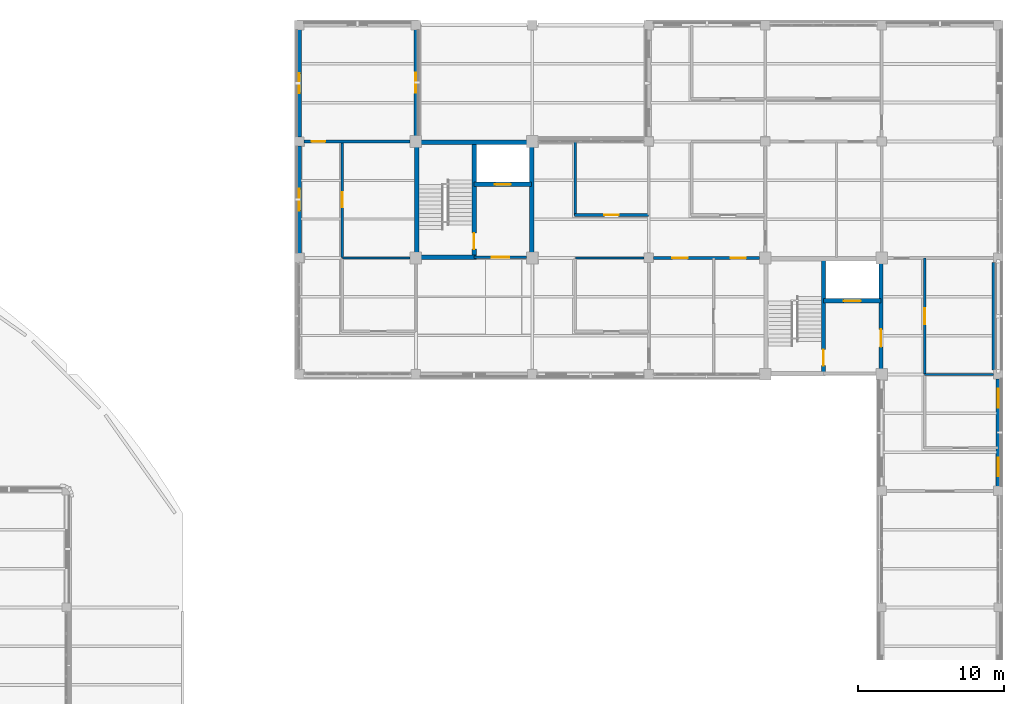
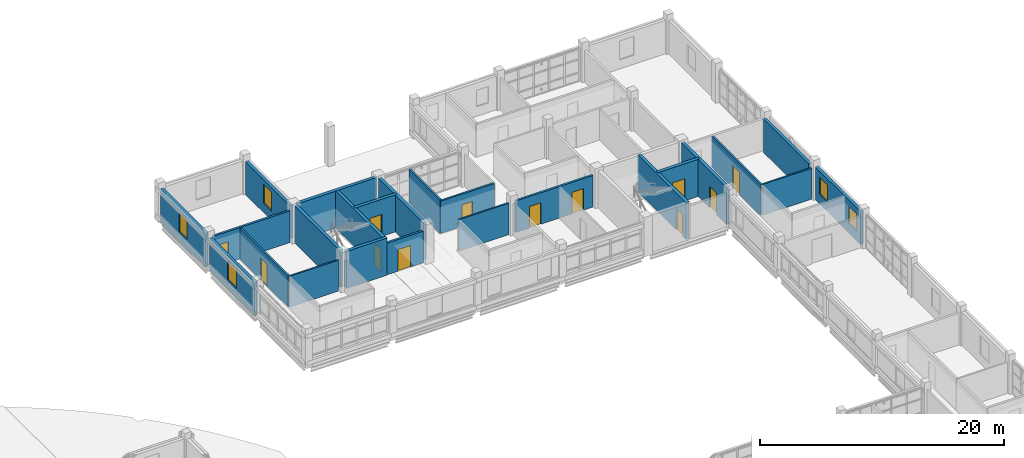
# One storey, part 103 of 126: 24 walls, 12 doors, 5 windows, 17 openings.
"""IFC4 building model written with IfcOpenShell, lengths in metres."""

from ifc_helpers import new_model, si_unit, derived_unit, direction, frame, frame_2d, origin, place, context, subcontext, project, spatial, rectangle, extrude, material, layer, layer_set, type_object, element, fill, save


model = new_model("IFC4")

# Units and contexts
model_context = context("Model", 3, precision=1e-05, world=origin(), true_north=direction((0.0, 1.0)))
body_context = subcontext(model_context, "Body", "Model", "MODEL_VIEW")
ifc_project = project(units=[si_unit("LENGTHUNIT", "METRE"), si_unit("AREAUNIT", "SQUARE_METRE"), si_unit("VOLUMEUNIT", "CUBIC_METRE"), si_unit("PLANEANGLEUNIT", "RADIAN"), si_unit("MASSUNIT", "GRAM", prefix="KILO"), derived_unit("THERMALTRANSMITTANCEUNIT", [(si_unit("MASSUNIT", "GRAM", prefix="KILO"), 1), (si_unit("TIMEUNIT", "SECOND"), -3), (si_unit("THERMODYNAMICTEMPERATUREUNIT", "KELVIN"), -1)])], contexts=[model_context])

# Site, building, storey
site_placement = place(None, origin())
site = spatial("IfcSite", under=ifc_project, at=site_placement, CompositionType="ELEMENT")
building_placement = place(site_placement, origin())
building = spatial("IfcBuilding", under=site, at=building_placement, Name="Veyamyaing Civic Hall", CompositionType="ELEMENT")
storey_placement = place(building_placement, frame((0.0, 0.0, 9.89990234375)))
storey = spatial("IfcBuildingStorey", under=building, at=storey_placement, Name="L02", CompositionType="ELEMENT", Elevation=9.89990234375)

# Wall, opening, window
ifc_material_1 = material(Name="Precast concrete C40/50", Category="concrete")
ifc_layer_1 = layer(ifc_material_1, 0.280029296875, Name="Precast concrete C40/50")
ifc_layer_set_1 = layer_set([ifc_layer_1], Name="Precast concrete C40/50")
wall_type_1 = type_object("IfcWallType", Name="WT-04", PredefinedType="SOLIDWALL", material=ifc_layer_set_1)
wall_1_placement = place(storey_placement, frame((128.0, 96.31005859375, 0.0), z_axis=(0.0, 0.0, 1.0), x_axis=(0.0, 1.0, 0.0)))
wall_1 = element("IfcWall", 1, at=wall_1_placement, inside=storey, type_object=wall_type_1, Name="Exterior facade wall WT-04 L02 W 17.13", PredefinedType="SOLIDWALL", context=body_context, shape_type="SweptSolid", body=[
    extrude(rectangle(XDim=7.3798828125, YDim=0.280029296875, at=frame_2d((3.68994140625, 0.0))), origin(), (0.0, 0.0, 1.0), 3.2841796875),
])
opening_1_placement = place(wall_1_placement, frame((2.93994140625, 0.0, 0.89990234375)))
opening_1 = element("IfcOpeningElement", 2, at=opening_1_placement, cuts=wall_1, Name="Opening W-12", PredefinedType="OPENING", context=body_context, shape_type="SweptSolid", body=[
    extrude(rectangle(XDim=1.5, YDim=1.89990234375, at=frame_2d((0.75, 0.949951171875))), frame((0.0, 0.14990234375, 0.0), z_axis=(0.0, -1.0, 0.0), x_axis=(1.0, 0.0, 0.0)), (0.0, 0.0, 1.0), 0.300048828125),
])
ifc_material_2 = material(Name="Low-E insulated glass", Category="glass")
window_type_1 = type_object("IfcWindowType", Name="W-12", PartitioningType="SINGLE_PANEL", PredefinedType="WINDOW", material=ifc_material_2)
window_1_placement = place(opening_1_placement, origin())
window_1 = element("IfcWindow", 3, at=window_1_placement, inside=storey, type_object=window_type_1, Name="Facade window W-12 L02 W 17.13", OverallHeight=1.89990234375, OverallWidth=1.5, PartitioningType="SINGLE_PANEL", PredefinedType="WINDOW", context=body_context, shape_type="SweptSolid", body=[
    extrude(rectangle(XDim=1.5, YDim=1.89990234375, at=frame_2d((0.75, 0.949951171875))), frame((0.0, 0.030029296875, 0.0), z_axis=(0.0, -1.0, 0.0), x_axis=(1.0, 0.0, 0.0)), (0.0, 0.0, 1.0), 0.06005859375),
])
fill(opening_1, window_1)

wall_2_placement = place(storey_placement, frame((128.0, 104.31005859375, 0.0), z_axis=(0.0, 0.0, 1.0), x_axis=(0.0, 1.0, 0.0)))
wall_2 = element("IfcWall", 4, at=wall_2_placement, inside=storey, type_object=wall_type_1, Name="Exterior facade wall WT-04 L02 W 17.14", PredefinedType="SOLIDWALL", context=body_context, shape_type="SweptSolid", body=[
    extrude(rectangle(XDim=7.3798828125, YDim=0.280029296875, at=frame_2d((3.68994140625, 0.0))), origin(), (0.0, 0.0, 1.0), 3.34716796875),
])
opening_2_placement = place(wall_2_placement, frame((3.014892578125, 0.0, 0.89990234375)))
opening_2 = element("IfcOpeningElement", 5, at=opening_2_placement, cuts=wall_2, Name="Opening W-13", PredefinedType="OPENING", context=body_context, shape_type="SweptSolid", body=[
    extrude(rectangle(XDim=1.35009765625, YDim=1.89990234375, at=frame_2d((0.675048828125, 0.949951171875))), frame((0.0, 0.14990234375, 0.0), z_axis=(0.0, -1.0, 0.0), x_axis=(1.0, 0.0, 0.0)), (0.0, 0.0, 1.0), 0.300048828125),
])
window_type_2 = type_object("IfcWindowType", Name="W-13", PartitioningType="SINGLE_PANEL", PredefinedType="WINDOW", material=ifc_material_2)
window_2_placement = place(opening_2_placement, origin())
window_2 = element("IfcWindow", 6, at=window_2_placement, inside=storey, type_object=window_type_2, Name="Facade window W-13 L02 W 17.14", OverallHeight=1.89990234375, OverallWidth=1.35009765625, PartitioningType="SINGLE_PANEL", PredefinedType="WINDOW", context=body_context, shape_type="SweptSolid", body=[
    extrude(rectangle(XDim=1.35009765625, YDim=1.89990234375, at=frame_2d((0.675048828125, 0.949951171875))), frame((0.0, 0.030029296875, 0.0), z_axis=(0.0, -1.0, 0.0), x_axis=(1.0, 0.0, 0.0)), (0.0, 0.0, 1.0), 0.06005859375),
])
fill(opening_2, window_2)

wall_3_placement = place(storey_placement, frame((136.0, 104.385009765625, 0.0), z_axis=(0.0, 0.0, 1.0), x_axis=(0.0, 1.0, 0.0)))
wall_3 = element("IfcWall", 7, at=wall_3_placement, inside=storey, type_object=wall_type_1, Name="Exterior facade wall WT-04 L02 E 17.14", PredefinedType="SOLIDWALL", context=body_context, shape_type="SweptSolid", body=[
    extrude(rectangle(XDim=7.304931640625, YDim=0.280029296875, at=frame_2d((3.65234375, 0.0))), origin(), (0.0, 0.0, 1.0), 3.280029296875),
])
opening_3_placement = place(wall_3_placement, frame((2.9775390625, 0.0, 0.89990234375)))
opening_3 = element("IfcOpeningElement", 8, at=opening_3_placement, cuts=wall_3, Name="Opening W-13", PredefinedType="OPENING", context=body_context, shape_type="SweptSolid", body=[
    extrude(rectangle(XDim=1.35009765625, YDim=1.89990234375, at=frame_2d((0.675048828125, 0.949951171875))), frame((0.0, 0.14990234375, 0.0), z_axis=(0.0, -1.0, 0.0), x_axis=(1.0, 0.0, 0.0)), (0.0, 0.0, 1.0), 0.300048828125),
])
window_3_placement = place(opening_3_placement, origin())
window_3 = element("IfcWindow", 9, at=window_3_placement, inside=storey, type_object=window_type_2, Name="Facade window W-13 L02 E 17.14", OverallHeight=1.89990234375, OverallWidth=1.35009765625, PartitioningType="SINGLE_PANEL", PredefinedType="WINDOW", context=body_context, shape_type="SweptSolid", body=[
    extrude(rectangle(XDim=1.35009765625, YDim=1.89990234375, at=frame_2d((0.675048828125, 0.949951171875))), frame((0.0, 0.030029296875, 0.0), z_axis=(0.0, -1.0, 0.0), x_axis=(1.0, 0.0, 0.0)), (0.0, 0.0, 1.0), 0.06005859375),
])
fill(opening_3, window_3)

# Wall, openings, windows
wall_4_placement = place(storey_placement, frame((176.0, 80.31005859375, 0.0), z_axis=(0.0, 0.0, 1.0), x_axis=(0.0, 1.0, 0.0)))
wall_4 = element("IfcWall", 10, at=wall_4_placement, inside=storey, type_object=wall_type_1, Name="Exterior facade wall WT-04 L02 E 22.11", PredefinedType="SOLIDWALL", context=body_context, shape_type="SweptSolid", body=[
    extrude(rectangle(XDim=7.3798828125, YDim=0.280029296875, at=frame_2d((3.68994140625, 0.0))), origin(), (0.0, 0.0, 1.0), 3.2841796875),
])
opening_4_placement = place(wall_4_placement, frame((0.6884765625, 0.0, 0.949951171875)))
opening_4 = element("IfcOpeningElement", 11, at=opening_4_placement, cuts=wall_4, Name="Opening W-31", PredefinedType="OPENING", context=body_context, shape_type="SweptSolid", body=[
    extrude(rectangle(XDim=1.280029296875, YDim=1.719970703125, at=frame_2d((0.64013671875, 0.85986328125))), frame((0.0, 0.14990234375, 0.0), z_axis=(0.0, -1.0, 0.0), x_axis=(1.0, 0.0, 0.0)), (0.0, 0.0, 1.0), 0.300048828125),
])
opening_5_placement = place(wall_4_placement, frame((5.41162109375, 0.0, 0.949951171875)))
opening_5 = element("IfcOpeningElement", 12, at=opening_5_placement, cuts=wall_4, Name="Opening W-31", PredefinedType="OPENING", context=body_context, shape_type="SweptSolid", body=[
    extrude(rectangle(XDim=1.280029296875, YDim=1.719970703125, at=frame_2d((0.64013671875, 0.85986328125))), frame((0.0, 0.14990234375, 0.0), z_axis=(0.0, -1.0, 0.0), x_axis=(1.0, 0.0, 0.0)), (0.0, 0.0, 1.0), 0.300048828125),
])
window_type_3 = type_object("IfcWindowType", Name="W-31", PartitioningType="SINGLE_PANEL", PredefinedType="WINDOW", material=ifc_material_2)
window_4_placement = place(opening_4_placement, origin())
window_4 = element("IfcWindow", 13, at=window_4_placement, inside=storey, type_object=window_type_3, Name="Facade window W-31 L02 E 22.11.1", OverallHeight=1.719970703125, OverallWidth=1.280029296875, PartitioningType="SINGLE_PANEL", PredefinedType="WINDOW", context=body_context, shape_type="SweptSolid", body=[
    extrude(rectangle(XDim=1.280029296875, YDim=1.719970703125, at=frame_2d((0.64013671875, 0.85986328125))), frame((0.0, 0.030029296875, 0.0), z_axis=(0.0, -1.0, 0.0), x_axis=(1.0, 0.0, 0.0)), (0.0, 0.0, 1.0), 0.06005859375),
])
fill(opening_4, window_4)
window_5_placement = place(opening_5_placement, origin())
window_5 = element("IfcWindow", 14, at=window_5_placement, inside=storey, type_object=window_type_3, Name="Facade window W-31 L02 E 22.11.2", OverallHeight=1.719970703125, OverallWidth=1.280029296875, PartitioningType="SINGLE_PANEL", PredefinedType="WINDOW", context=body_context, shape_type="SweptSolid", body=[
    extrude(rectangle(XDim=1.280029296875, YDim=1.719970703125, at=frame_2d((0.64013671875, 0.85986328125))), frame((0.0, 0.030029296875, 0.0), z_axis=(0.0, -1.0, 0.0), x_axis=(1.0, 0.0, 0.0)), (0.0, 0.0, 1.0), 0.06005859375),
])
fill(opening_5, window_5)

# Wall
wall_5_placement = place(storey_placement, frame((175.699951171875, 88.31005859375, 0.0), z_axis=(0.0, 0.0, 1.0), x_axis=(0.0, 1.0, 0.0)))
element("IfcWall", 15, at=wall_5_placement, inside=storey, type_object=wall_type_1, Name="Exterior facade wall WT-04 L02 E 22.12", PredefinedType="SOLIDWALL", context=body_context, shape_type="SweptSolid", body=[
    extrude(rectangle(XDim=7.3798828125, YDim=0.280029296875, at=frame_2d((3.68994140625, 0.0))), origin(), (0.0, 0.0, 1.0), 3.34716796875),
])

# Wall, opening, door
ifc_material_3 = material(Name="Concrete C40/50", Category="concrete")
ifc_layer_2 = layer(ifc_material_3, 0.300048828125, Name="Concrete C40/50")
ifc_layer_set_2 = layer_set([ifc_layer_2], Name="Concrete C40/50")
wall_type_2 = type_object("IfcWallType", Name="WT-05", PredefinedType="SHEAR", material=ifc_layer_set_2)
wall_6_placement = place(storey_placement, frame((167.949951171875, 88.2900390625, 0.0), z_axis=(0.0, 0.0, 1.0), x_axis=(0.0, 1.0, 0.0)))
wall_6 = element("IfcWall", 16, at=wall_6_placement, inside=storey, type_object=wall_type_2, Name="Core shear wall WT-05 CORE-3 L02.E", PredefinedType="SHEAR", context=body_context, shape_type="SweptSolid", body=[
    extrude(rectangle(XDim=7.419921875, YDim=0.300048828125, at=frame_2d((3.7099609375, 0.0))), origin(), (0.0, 0.0, 1.0), 3.705078125),
])
opening_6_placement = place(wall_6_placement, frame((1.60009765625, 0.0, 0.0)))
opening_6 = element("IfcOpeningElement", 17, at=opening_6_placement, cuts=wall_6, Name="Opening D-04", PredefinedType="OPENING", context=body_context, shape_type="SweptSolid", body=[
    extrude(rectangle(XDim=1.199951171875, YDim=2.14990234375, at=frame_2d((0.60009765625, 1.074951171875))), frame((0.0, 0.159912109375, 0.0), z_axis=(0.0, -1.0, 0.0), x_axis=(1.0, 0.0, 0.0)), (0.0, 0.0, 1.0), 0.320068359375),
])
ifc_material_4 = material(Name="Galvanized steel S355J2", Category="steel")
door_type_1 = type_object("IfcDoorType", Name="D-04", OperationType="NOTDEFINED", PredefinedType="DOOR", material=ifc_material_4)
door_1_placement = place(opening_6_placement, frame((1.199951171875, 0.0, 0.0), z_axis=(0.0, 0.0, 1.0), x_axis=(-1.0, 0.0, 0.0)))
door_1 = element("IfcDoor", 18, at=door_1_placement, inside=storey, type_object=door_type_1, Name="Protected lobby fire door D-04 CORE-3 L02", OperationType="SINGLE_SWING_RIGHT", OverallHeight=2.14990234375, OverallWidth=1.199951171875, PredefinedType="DOOR", context=body_context, shape_type="SweptSolid", body=[
    extrude(rectangle(XDim=1.199951171875, YDim=2.14990234375, at=frame_2d((0.60009765625, 1.074951171875))), frame((0.0, 0.02490234375, 0.0), z_axis=(0.0, -1.0, 0.0), x_axis=(1.0, 0.0, 0.0)), (0.0, 0.0, 1.0), 0.050048828125),
])
fill(opening_6, door_1)

wall_7_placement = place(storey_placement, frame((164.0, 88.050048828125, 0.0), z_axis=(0.0, 0.0, 1.0), x_axis=(0.0, 1.0, 0.0)))
wall_7 = element("IfcWall", 19, at=wall_7_placement, inside=storey, type_object=wall_type_2, Name="Core shear wall WT-05 CORE-3 L02.MID", PredefinedType="SHEAR", context=body_context, shape_type="SweptSolid", body=[
    extrude(rectangle(XDim=7.89990234375, YDim=0.300048828125, at=frame_2d((3.949951171875, 0.0))), origin(), (0.0, 0.0, 1.0), 3.705078125),
])
opening_7_placement = place(wall_7_placement, frame((0.550048828125, 0.0, 0.0)))
opening_7 = element("IfcOpeningElement", 20, at=opening_7_placement, cuts=wall_7, Name="Opening D-03", PredefinedType="OPENING", context=body_context, shape_type="SweptSolid", body=[
    extrude(rectangle(XDim=1.10009765625, YDim=2.14990234375, at=frame_2d((0.550048828125, 1.074951171875))), frame((0.0, 0.159912109375, 0.0), z_axis=(0.0, -1.0, 0.0), x_axis=(1.0, 0.0, 0.0)), (0.0, 0.0, 1.0), 0.320068359375),
])
door_type_2 = type_object("IfcDoorType", Name="D-03", OperationType="NOTDEFINED", PredefinedType="DOOR", material=ifc_material_4)
door_2_placement = place(opening_7_placement, origin())
door_2 = element("IfcDoor", 21, at=door_2_placement, inside=storey, type_object=door_type_2, Name="Exit stair fire door D-03 ST-03 L02", OperationType="SINGLE_SWING_LEFT", OverallHeight=2.14990234375, OverallWidth=1.10009765625, PredefinedType="DOOR", context=body_context, shape_type="SweptSolid", body=[
    extrude(rectangle(XDim=1.10009765625, YDim=2.14990234375, at=frame_2d((0.550048828125, 1.074951171875))), frame((0.0, 0.02490234375, 0.0), z_axis=(0.0, -1.0, 0.0), x_axis=(1.0, 0.0, 0.0)), (0.0, 0.0, 1.0), 0.050048828125),
])
fill(opening_7, door_2)

wall_8_placement = place(storey_placement, frame((164.0, 93.050048828125, 0.0), z_axis=(0.0, 0.0, 1.0), x_axis=(1.0, 0.0, 0.0)))
wall_8 = element("IfcWall", 22, at=wall_8_placement, inside=storey, type_object=wall_type_2, Name="Core shear wall WT-05 CORE-3 L02.LFT", PredefinedType="SHEAR", context=body_context, shape_type="SweptSolid", body=[
    extrude(rectangle(XDim=3.949951171875, YDim=0.300048828125, at=frame_2d((1.97509765625, 0.0))), origin(), (0.0, 0.0, 1.0), 3.705078125),
])
opening_8_placement = place(wall_8_placement, frame((1.375, 0.0, 0.0)))
opening_8 = element("IfcOpeningElement", 23, at=opening_8_placement, cuts=wall_8, Name="Opening LD-02", PredefinedType="OPENING", context=body_context, shape_type="SweptSolid", body=[
    extrude(rectangle(XDim=1.199951171875, YDim=2.199951171875, at=frame_2d((0.60009765625, 1.10009765625))), frame((0.0, 0.159912109375, 0.0), z_axis=(0.0, -1.0, 0.0), x_axis=(1.0, 0.0, 0.0)), (0.0, 0.0, 1.0), 0.320068359375),
])
door_type_3 = type_object("IfcDoorType", Name="LD-02", OperationType="SLIDING_TO_LEFT", PredefinedType="DOOR", material=ifc_material_4)
door_3_placement = place(opening_8_placement, origin())
door_3 = element("IfcDoor", 24, at=door_3_placement, inside=storey, type_object=door_type_3, Name="Lift sliding landing door LD-02 FL-02 L02", OperationType="SLIDING_TO_LEFT", OverallHeight=2.199951171875, OverallWidth=1.199951171875, PredefinedType="DOOR", context=body_context, shape_type="SweptSolid", body=[
    extrude(rectangle(XDim=1.199951171875, YDim=2.199951171875, at=frame_2d((0.60009765625, 1.10009765625))), frame((0.0, 0.02490234375, 0.0), z_axis=(0.0, -1.0, 0.0), x_axis=(1.0, 0.0, 0.0)), (0.0, 0.0, 1.0), 0.050048828125),
])
fill(opening_8, door_3)

# Walls
for number, where, z_axis, x_axis, name in (
    (25, (136.050048828125, 96.2900390625, 0.0), (0.0, 0.0, 1.0), (0.0, 1.0, 0.0), "Core shear wall WT-05 CORE-4 L02.W"),
    (26, (136.2900390625, 103.949951171875, 0.0), (0.0, 0.0, 1.0), (1.0, 0.0, 0.0), "Core shear wall WT-05 CORE-4 L02.N"),
    (27, (143.949951171875, 96.2900390625, 0.0), (0.0, 0.0, 1.0), (0.0, 1.0, 0.0), "Core shear wall WT-05 CORE-4 L02.E"),
):
    element("IfcWall", number, at=place(storey_placement, frame(where, z_axis=z_axis, x_axis=x_axis)), inside=storey, type_object=wall_type_2, Name=name, PredefinedType="SHEAR", context=body_context, shape_type="SweptSolid", body=[
        extrude(rectangle(XDim=7.419921875, YDim=0.300048828125, at=frame_2d((3.7099609375, 0.0))), origin(), (0.0, 0.0, 1.0), 3.705078125),
    ])
wall_9_placement = place(storey_placement, frame((136.2900390625, 96.050048828125, 0.0), z_axis=(0.0, 0.0, 1.0), x_axis=(1.0, 0.0, 0.0)))
element("IfcWall", 28, at=wall_9_placement, inside=storey, type_object=wall_type_2, Name="Core shear wall WT-05 CORE-4 L02.SS", PredefinedType="SHEAR", context=body_context, shape_type="SweptSolid", body=[
    extrude(rectangle(XDim=3.85986328125, YDim=0.300048828125, at=frame_2d((1.929931640625, 0.0))), origin(), (0.0, 0.0, 1.0), 3.705078125),
])

# Wall, opening, door
wall_10_placement = place(storey_placement, frame((140.0, 96.050048828125, 0.0), z_axis=(0.0, 0.0, 1.0), x_axis=(0.0, 1.0, 0.0)))
wall_10 = element("IfcWall", 29, at=wall_10_placement, inside=storey, type_object=wall_type_2, Name="Core shear wall WT-05 CORE-4 L02.MID", PredefinedType="SHEAR", context=body_context, shape_type="SweptSolid", body=[
    extrude(rectangle(XDim=7.89990234375, YDim=0.300048828125, at=frame_2d((3.949951171875, 0.0))), origin(), (0.0, 0.0, 1.0), 3.705078125),
])
opening_9_placement = place(wall_10_placement, frame((0.550048828125, 0.0, 0.0)))
opening_9 = element("IfcOpeningElement", 30, at=opening_9_placement, cuts=wall_10, Name="Opening D-03", PredefinedType="OPENING", context=body_context, shape_type="SweptSolid", body=[
    extrude(rectangle(XDim=1.10009765625, YDim=2.14990234375, at=frame_2d((0.550048828125, 1.074951171875))), frame((0.0, 0.159912109375, 0.0), z_axis=(0.0, -1.0, 0.0), x_axis=(1.0, 0.0, 0.0)), (0.0, 0.0, 1.0), 0.320068359375),
])
door_4_placement = place(opening_9_placement, origin())
door_4 = element("IfcDoor", 31, at=door_4_placement, inside=storey, type_object=door_type_2, Name="Exit stair fire door D-03 ST-04 L02", OperationType="SINGLE_SWING_LEFT", OverallHeight=2.14990234375, OverallWidth=1.10009765625, PredefinedType="DOOR", context=body_context, shape_type="SweptSolid", body=[
    extrude(rectangle(XDim=1.10009765625, YDim=2.14990234375, at=frame_2d((0.550048828125, 1.074951171875))), frame((0.0, 0.02490234375, 0.0), z_axis=(0.0, -1.0, 0.0), x_axis=(1.0, 0.0, 0.0)), (0.0, 0.0, 1.0), 0.050048828125),
])
fill(opening_9, door_4)

wall_11_placement = place(storey_placement, frame((140.0, 101.050048828125, 0.0), z_axis=(0.0, 0.0, 1.0), x_axis=(1.0, 0.0, 0.0)))
wall_11 = element("IfcWall", 32, at=wall_11_placement, inside=storey, type_object=wall_type_2, Name="Core shear wall WT-05 CORE-4 L02.LFT", PredefinedType="SHEAR", context=body_context, shape_type="SweptSolid", body=[
    extrude(rectangle(XDim=3.949951171875, YDim=0.300048828125, at=frame_2d((1.97509765625, 0.0))), origin(), (0.0, 0.0, 1.0), 3.705078125),
])
opening_10_placement = place(wall_11_placement, frame((1.425048828125, 0.0, 0.0)))
opening_10 = element("IfcOpeningElement", 33, at=opening_10_placement, cuts=wall_11, Name="Opening LD-01", PredefinedType="OPENING", context=body_context, shape_type="SweptSolid", body=[
    extrude(rectangle(XDim=1.10009765625, YDim=2.199951171875, at=frame_2d((0.550048828125, 1.10009765625))), frame((0.0, 0.159912109375, 0.0), z_axis=(0.0, -1.0, 0.0), x_axis=(1.0, 0.0, 0.0)), (0.0, 0.0, 1.0), 0.320068359375),
])
ifc_material_5 = material(Name="Anodised aluminium 6063-T6", Category="aluminium")
door_type_4 = type_object("IfcDoorType", Name="LD-01", OperationType="SLIDING_TO_LEFT", PredefinedType="DOOR", material=ifc_material_5)
door_5_placement = place(opening_10_placement, origin())
door_5 = element("IfcDoor", 34, at=door_5_placement, inside=storey, type_object=door_type_4, Name="Lift sliding landing door LD-01 PL-02 L02", OperationType="SLIDING_TO_LEFT", OverallHeight=2.199951171875, OverallWidth=1.10009765625, PredefinedType="DOOR", context=body_context, shape_type="SweptSolid", body=[
    extrude(rectangle(XDim=1.10009765625, YDim=2.199951171875, at=frame_2d((0.550048828125, 1.10009765625))), frame((0.0, 0.02490234375, 0.0), z_axis=(0.0, -1.0, 0.0), x_axis=(1.0, 0.0, 0.0)), (0.0, 0.0, 1.0), 0.050048828125),
])
fill(opening_10, door_5)

ifc_layer_3 = layer(ifc_material_3, 0.199951171875, Name="Concrete C40/50")
ifc_layer_set_3 = layer_set([ifc_layer_3], Name="Concrete C40/50")
wall_type_3 = type_object("IfcWallType", Name="WT-06", PredefinedType="PARTITIONING", material=ifc_layer_set_3)
wall_12_placement = place(storey_placement, frame((140.0, 96.050048828125, 0.0), z_axis=(0.0, 0.0, 1.0), x_axis=(1.0, 0.0, 0.0)))
wall_12 = element("IfcWall", 35, at=wall_12_placement, inside=storey, type_object=wall_type_3, Name="Firefighting lift lobby wall WT-06 CORE-4 L02", PredefinedType="PARTITIONING", context=body_context, shape_type="SweptSolid", body=[
    extrude(rectangle(XDim=3.610107421875, YDim=0.199951171875, at=frame_2d((1.80517578125, 0.0))), origin(), (0.0, 0.0, 1.0), 3.156982421875),
])
opening_11_placement = place(wall_12_placement, frame((1.205078125, 0.0, 0.0)))
opening_11 = element("IfcOpeningElement", 36, at=opening_11_placement, cuts=wall_12, Name="Opening D-04", PredefinedType="OPENING", context=body_context, shape_type="SweptSolid", body=[
    extrude(rectangle(XDim=1.199951171875, YDim=2.14990234375, at=frame_2d((0.60009765625, 1.074951171875))), frame((0.0, 0.10986328125, 0.0), z_axis=(0.0, -1.0, 0.0), x_axis=(1.0, 0.0, 0.0)), (0.0, 0.0, 1.0), 0.219970703125),
])
door_6_placement = place(opening_11_placement, frame((1.199951171875, 0.0, 0.0), z_axis=(0.0, 0.0, 1.0), x_axis=(-1.0, 0.0, 0.0)))
door_6 = element("IfcDoor", 37, at=door_6_placement, inside=storey, type_object=door_type_1, Name="Protected lobby fire door D-04 CORE-4 L02", OperationType="SINGLE_SWING_RIGHT", OverallHeight=2.14990234375, OverallWidth=1.199951171875, PredefinedType="DOOR", context=body_context, shape_type="SweptSolid", body=[
    extrude(rectangle(XDim=1.199951171875, YDim=2.14990234375, at=frame_2d((0.60009765625, 1.074951171875))), frame((0.0, 0.02490234375, 0.0), z_axis=(0.0, -1.0, 0.0), x_axis=(1.0, 0.0, 0.0)), (0.0, 0.0, 1.0), 0.050048828125),
])
fill(opening_11, door_6)

wall_13_placement = place(storey_placement, frame((128.31494140625, 104.0, 0.0), z_axis=(0.0, 0.0, 1.0), x_axis=(1.0, 0.0, 0.0)))
wall_13 = element("IfcWall", 38, at=wall_13_placement, inside=storey, type_object=wall_type_3, Name="Interior partition wall WT-06 L02.45", PredefinedType="PARTITIONING", context=body_context, shape_type="SweptSolid", body=[
    extrude(rectangle(XDim=7.295166015625, YDim=0.199951171875, at=frame_2d((3.6474609375, 0.0))), origin(), (0.0, 0.0, 1.0), 3.156982421875),
])
opening_12_placement = place(wall_13_placement, frame((0.52001953125, 0.0, 0.0)))
opening_12 = element("IfcOpeningElement", 39, at=opening_12_placement, cuts=wall_13, Name="Opening D-30", PredefinedType="OPENING", context=body_context, shape_type="SweptSolid", body=[
    extrude(rectangle(XDim=0.93994140625, YDim=2.1201171875, at=frame_2d((0.469970703125, 1.06005859375))), frame((0.0, 0.10986328125, 0.0), z_axis=(0.0, -1.0, 0.0), x_axis=(1.0, 0.0, 0.0)), (0.0, 0.0, 1.0), 0.219970703125),
])
ifc_material_6 = material(Name="Teak-veneered acoustic timber", Category="wood")
door_type_5 = type_object("IfcDoorType", Name="D-30", OperationType="NOTDEFINED", PredefinedType="DOOR", material=ifc_material_6)
door_7_placement = place(opening_12_placement, origin())
door_7 = element("IfcDoor", 40, at=door_7_placement, inside=storey, type_object=door_type_5, Name="Interior door D-30 L02.45", OperationType="SINGLE_SWING_LEFT", OverallHeight=2.1201171875, OverallWidth=0.93994140625, PredefinedType="DOOR", context=body_context, shape_type="SweptSolid", body=[
    extrude(rectangle(XDim=0.93994140625, YDim=2.1201171875, at=frame_2d((0.469970703125, 1.06005859375))), frame((0.0, 0.02490234375, 0.0), z_axis=(0.0, -1.0, 0.0), x_axis=(1.0, 0.0, 0.0)), (0.0, 0.0, 1.0), 0.050048828125),
])
fill(opening_12, door_7)

# Wall, openings, doors
wall_14_placement = place(storey_placement, frame((152.31494140625, 96.0, 0.0), z_axis=(0.0, 0.0, 1.0), x_axis=(1.0, 0.0, 0.0)))
wall_14 = element("IfcWall", 41, at=wall_14_placement, inside=storey, type_object=wall_type_3, Name="Interior partition wall WT-06 L02.57", PredefinedType="PARTITIONING", context=body_context, shape_type="SweptSolid", body=[
    extrude(rectangle(XDim=7.295166015625, YDim=0.199951171875, at=frame_2d((3.6474609375, 0.0))), origin(), (0.0, 0.0, 1.0), 3.151123046875),
])
opening_13_placement = place(wall_14_placement, frame((1.298828125, 0.0, 0.0)))
opening_13 = element("IfcOpeningElement", 42, at=opening_13_placement, cuts=wall_14, Name="Opening D-12", PredefinedType="OPENING", context=body_context, shape_type="SweptSolid", body=[
    extrude(rectangle(XDim=1.050048828125, YDim=2.14990234375, at=frame_2d((0.52490234375, 1.074951171875))), frame((0.0, 0.10986328125, 0.0), z_axis=(0.0, -1.0, 0.0), x_axis=(1.0, 0.0, 0.0)), (0.0, 0.0, 1.0), 0.219970703125),
])
opening_14_placement = place(wall_14_placement, frame((5.31103515625, 0.0, 0.0)))
opening_14 = element("IfcOpeningElement", 43, at=opening_14_placement, cuts=wall_14, Name="Opening D-12", PredefinedType="OPENING", context=body_context, shape_type="SweptSolid", body=[
    extrude(rectangle(XDim=1.050048828125, YDim=2.14990234375, at=frame_2d((0.52490234375, 1.074951171875))), frame((0.0, 0.10986328125, 0.0), z_axis=(0.0, -1.0, 0.0), x_axis=(1.0, 0.0, 0.0)), (0.0, 0.0, 1.0), 0.219970703125),
])
door_type_6 = type_object("IfcDoorType", Name="D-12", OperationType="NOTDEFINED", PredefinedType="DOOR", material=ifc_material_6)
door_8_placement = place(opening_13_placement, frame((1.050048828125, 0.0, 0.0), z_axis=(0.0, 0.0, 1.0), x_axis=(-1.0, 0.0, 0.0)))
door_8 = element("IfcDoor", 44, at=door_8_placement, inside=storey, type_object=door_type_6, Name="Interior room door D-12 L02.57.1", OperationType="SINGLE_SWING_RIGHT", OverallHeight=2.14990234375, OverallWidth=1.050048828125, PredefinedType="DOOR", context=body_context, shape_type="SweptSolid", body=[
    extrude(rectangle(XDim=1.050048828125, YDim=2.14990234375, at=frame_2d((0.52490234375, 1.074951171875))), frame((0.0, 0.02490234375, 0.0), z_axis=(0.0, -1.0, 0.0), x_axis=(1.0, 0.0, 0.0)), (0.0, 0.0, 1.0), 0.050048828125),
])
fill(opening_13, door_8)
door_9_placement = place(opening_14_placement, frame((1.050048828125, 0.0, 0.0), z_axis=(0.0, 0.0, 1.0), x_axis=(-1.0, 0.0, 0.0)))
door_9 = element("IfcDoor", 45, at=door_9_placement, inside=storey, type_object=door_type_6, Name="Interior room door D-12 L02.57.2", OperationType="SINGLE_SWING_LEFT", OverallHeight=2.14990234375, OverallWidth=1.050048828125, PredefinedType="DOOR", context=body_context, shape_type="SweptSolid", body=[
    extrude(rectangle(XDim=1.050048828125, YDim=2.14990234375, at=frame_2d((0.52490234375, 1.074951171875))), frame((0.0, 0.02490234375, 0.0), z_axis=(0.0, -1.0, 0.0), x_axis=(1.0, 0.0, 0.0)), (0.0, 0.0, 1.0), 0.050048828125),
])
fill(opening_14, door_9)

# Wall, opening, door
ifc_material_7 = material(Name="Gypsum board on acoustic steel stud", Category="steel")
ifc_layer_4 = layer(ifc_material_7, 0.175048828125, Name="Gypsum board on acoustic steel stud")
ifc_layer_set_4 = layer_set([ifc_layer_4], Name="Gypsum board on acoustic steel stud")
wall_type_4 = type_object("IfcWallType", Name="WT-07", PredefinedType="PARTITIONING", material=ifc_layer_set_4)
wall_15_placement = place(storey_placement, frame((146.89990234375, 98.949951171875, 0.0), z_axis=(0.0, 0.0, 1.0), x_axis=(1.0, 0.0, 0.0)))
wall_15 = element("IfcWall", 46, at=wall_15_placement, inside=storey, type_object=wall_type_4, Name="Corridor gallery partition WT-07 L02.59.1", PredefinedType="PARTITIONING", context=body_context, shape_type="SweptSolid", body=[
    extrude(rectangle(XDim=5.080078125, YDim=0.175048828125, at=frame_2d((2.5400390625, 0.0))), origin(), (0.0, 0.0, 1.0), 3.22119140625),
])
opening_15_placement = place(wall_15_placement, frame((2.050048828125, 0.0, 0.0)))
opening_15 = element("IfcOpeningElement", 47, at=opening_15_placement, cuts=wall_15, Name="Opening D-14", PredefinedType="OPENING", context=body_context, shape_type="SweptSolid", body=[
    extrude(rectangle(XDim=0.97998046875, YDim=2.14990234375, at=frame_2d((0.489990234375, 1.074951171875))), frame((0.0, 0.097412109375, 0.0), z_axis=(0.0, -1.0, 0.0), x_axis=(1.0, 0.0, 0.0)), (0.0, 0.0, 1.0), 0.195068359375),
])
door_type_7 = type_object("IfcDoorType", Name="D-14", OperationType="NOTDEFINED", PredefinedType="DOOR", material=ifc_material_6)
door_10_placement = place(opening_15_placement, origin())
door_10 = element("IfcDoor", 48, at=door_10_placement, inside=storey, type_object=door_type_7, Name="Gallery office door D-14 L02.59", OperationType="SINGLE_SWING_LEFT", OverallHeight=2.14990234375, OverallWidth=0.97998046875, PredefinedType="DOOR", context=body_context, shape_type="SweptSolid", body=[
    extrude(rectangle(XDim=0.97998046875, YDim=2.14990234375, at=frame_2d((0.489990234375, 1.074951171875))), frame((0.0, 0.02490234375, 0.0), z_axis=(0.0, -1.0, 0.0), x_axis=(1.0, 0.0, 0.0)), (0.0, 0.0, 1.0), 0.050048828125),
])
fill(opening_15, door_10)

# Walls
wall_16_placement = place(storey_placement, frame((146.949951171875, 98.89990234375, 0.0), z_axis=(0.0, 0.0, 1.0), x_axis=(0.0, 1.0, 0.0)))
element("IfcWall", 49, at=wall_16_placement, inside=storey, type_object=wall_type_4, Name="Corridor gallery partition WT-07 L02.59.2", PredefinedType="PARTITIONING", context=body_context, shape_type="SweptSolid", body=[
    extrude(rectangle(XDim=5.080078125, YDim=0.175048828125, at=frame_2d((2.5400390625, 0.0))), origin(), (0.0, 0.0, 1.0), 3.337158203125),
])
ifc_material_8 = material(Name="Gypsum board on steel stud", Category="steel")
ifc_layer_5 = layer(ifc_material_8, 0.14990234375, Name="Gypsum board on steel stud")
ifc_layer_set_5 = layer_set([ifc_layer_5], Name="Gypsum board on steel stud")
wall_type_5 = type_object("IfcWallType", Name="WT-08", PredefinedType="PARTITIONING", material=ifc_layer_set_5)
wall_17_placement = place(storey_placement, frame((130.949951171875, 96.0, 0.0), z_axis=(0.0, 0.0, 1.0), x_axis=(1.0, 0.0, 0.0)))
element("IfcWall", 50, at=wall_17_placement, inside=storey, type_object=wall_type_5, Name="Gallery office end partition WT-08 L02.49.1", PredefinedType="PARTITIONING", context=body_context, shape_type="SweptSolid", body=[
    extrude(rectangle(XDim=4.64013671875, YDim=0.14990234375, at=frame_2d((2.320068359375, 0.0))), origin(), (0.0, 0.0, 1.0), 3.08203125),
])
wall_18_placement = place(storey_placement, frame((146.949951171875, 96.0, 0.0), z_axis=(0.0, 0.0, 1.0), x_axis=(1.0, 0.0, 0.0)))
element("IfcWall", 51, at=wall_18_placement, inside=storey, type_object=wall_type_5, Name="Gallery office end partition WT-08 L02.58.1", PredefinedType="PARTITIONING", context=body_context, shape_type="SweptSolid", body=[
    extrude(rectangle(XDim=4.715087890625, YDim=0.14990234375, at=frame_2d((2.357421875, 0.0))), origin(), (0.0, 0.0, 1.0), 3.14111328125),
])
wall_19_placement = place(storey_placement, frame((170.949951171875, 88.0, 0.0), z_axis=(0.0, 0.0, 1.0), x_axis=(1.0, 0.0, 0.0)))
element("IfcWall", 52, at=wall_19_placement, inside=storey, type_object=wall_type_5, Name="Gallery office end partition WT-08 L02.73.1", PredefinedType="PARTITIONING", context=body_context, shape_type="SweptSolid", body=[
    extrude(rectangle(XDim=4.715087890625, YDim=0.14990234375, at=frame_2d((2.357421875, 0.0))), origin(), (0.0, 0.0, 1.0), 3.08203125),
])

# Wall, opening, door
ifc_material_9 = material(Name="Gypsum board on double acoustic stud")
ifc_layer_6 = layer(ifc_material_9, 0.18505859375, Name="Gypsum board on double acoustic stud")
ifc_layer_set_6 = layer_set([ifc_layer_6], Name="Gypsum board on double acoustic stud")
wall_type_6 = type_object("IfcWallType", Name="WT-19", PredefinedType="PARTITIONING", material=ifc_layer_set_6)
wall_20_placement = place(storey_placement, frame((130.949951171875, 96.02001953125, 0.0), z_axis=(0.0, 0.0, 1.0), x_axis=(0.0, 1.0, 0.0)))
wall_20 = element("IfcWall", 53, at=wall_20_placement, inside=storey, type_object=wall_type_6, Name="Corridor gallery partition WT-19 L02.50.1", PredefinedType="PARTITIONING", context=body_context, shape_type="SweptSolid", body=[
    extrude(rectangle(XDim=7.9599609375, YDim=0.18505859375, at=frame_2d((3.97998046875, 0.0))), origin(), (0.0, 0.0, 1.0), 3.08203125),
])
opening_16_placement = place(wall_20_placement, frame((3.469970703125, 0.0, 0.0)))
opening_16 = element("IfcOpeningElement", 54, at=opening_16_placement, cuts=wall_20, Name="Opening D-19", PredefinedType="OPENING", context=body_context, shape_type="SweptSolid", body=[
    extrude(rectangle(XDim=1.02001953125, YDim=2.199951171875, at=frame_2d((0.510009765625, 1.10009765625))), frame((0.0, 0.1025390625, 0.0), z_axis=(0.0, -1.0, 0.0), x_axis=(1.0, 0.0, 0.0)), (0.0, 0.0, 1.0), 0.205078125),
])
door_type_8 = type_object("IfcDoorType", Name="D-19", OperationType="NOTDEFINED", PredefinedType="DOOR", material=ifc_material_6)
door_11_placement = place(opening_16_placement, frame((1.02001953125, 0.0, 0.0), z_axis=(0.0, 0.0, 1.0), x_axis=(-1.0, 0.0, 0.0)))
door_11 = element("IfcDoor", 55, at=door_11_placement, inside=storey, type_object=door_type_8, Name="Gallery office door D-19 L02.50", OperationType="SINGLE_SWING_RIGHT", OverallHeight=2.199951171875, OverallWidth=1.02001953125, PredefinedType="DOOR", context=body_context, shape_type="SweptSolid", body=[
    extrude(rectangle(XDim=1.02001953125, YDim=2.199951171875, at=frame_2d((0.510009765625, 1.10009765625))), frame((0.0, 0.02490234375, 0.0), z_axis=(0.0, -1.0, 0.0), x_axis=(1.0, 0.0, 0.0)), (0.0, 0.0, 1.0), 0.050048828125),
])
fill(opening_16, door_11)

wall_21_placement = place(storey_placement, frame((170.949951171875, 88.02001953125, 0.0), z_axis=(0.0, 0.0, 1.0), x_axis=(0.0, 1.0, 0.0)))
wall_21 = element("IfcWall", 56, at=wall_21_placement, inside=storey, type_object=wall_type_6, Name="Corridor gallery partition WT-19 L02.74.1", PredefinedType="PARTITIONING", context=body_context, shape_type="SweptSolid", body=[
    extrude(rectangle(XDim=7.9599609375, YDim=0.18505859375, at=frame_2d((3.97998046875, 0.0))), origin(), (0.0, 0.0, 1.0), 3.08203125),
])
opening_17_placement = place(wall_21_placement, frame((3.419921875, 0.0, 0.0)))
opening_17 = element("IfcOpeningElement", 57, at=opening_17_placement, cuts=wall_21, Name="Opening D-26", PredefinedType="OPENING", context=body_context, shape_type="SweptSolid", body=[
    extrude(rectangle(XDim=1.1201171875, YDim=2.219970703125, at=frame_2d((0.56005859375, 1.10986328125))), frame((0.0, 0.1025390625, 0.0), z_axis=(0.0, -1.0, 0.0), x_axis=(1.0, 0.0, 0.0)), (0.0, 0.0, 1.0), 0.205078125),
])
door_type_9 = type_object("IfcDoorType", Name="D-26", OperationType="NOTDEFINED", PredefinedType="DOOR", material=ifc_material_6)
door_12_placement = place(opening_17_placement, frame((1.1201171875, 0.0, 0.0), z_axis=(0.0, 0.0, 1.0), x_axis=(-1.0, 0.0, 0.0)))
door_12 = element("IfcDoor", 58, at=door_12_placement, inside=storey, type_object=door_type_9, Name="Gallery office door D-26 L02.74", OperationType="SINGLE_SWING_RIGHT", OverallHeight=2.219970703125, OverallWidth=1.1201171875, PredefinedType="DOOR", context=body_context, shape_type="SweptSolid", body=[
    extrude(rectangle(XDim=1.1201171875, YDim=2.219970703125, at=frame_2d((0.56005859375, 1.10986328125))), frame((0.0, 0.02490234375, 0.0), z_axis=(0.0, -1.0, 0.0), x_axis=(1.0, 0.0, 0.0)), (0.0, 0.0, 1.0), 0.050048828125),
])
fill(opening_17, door_12)

save(model, "model.ifc")
